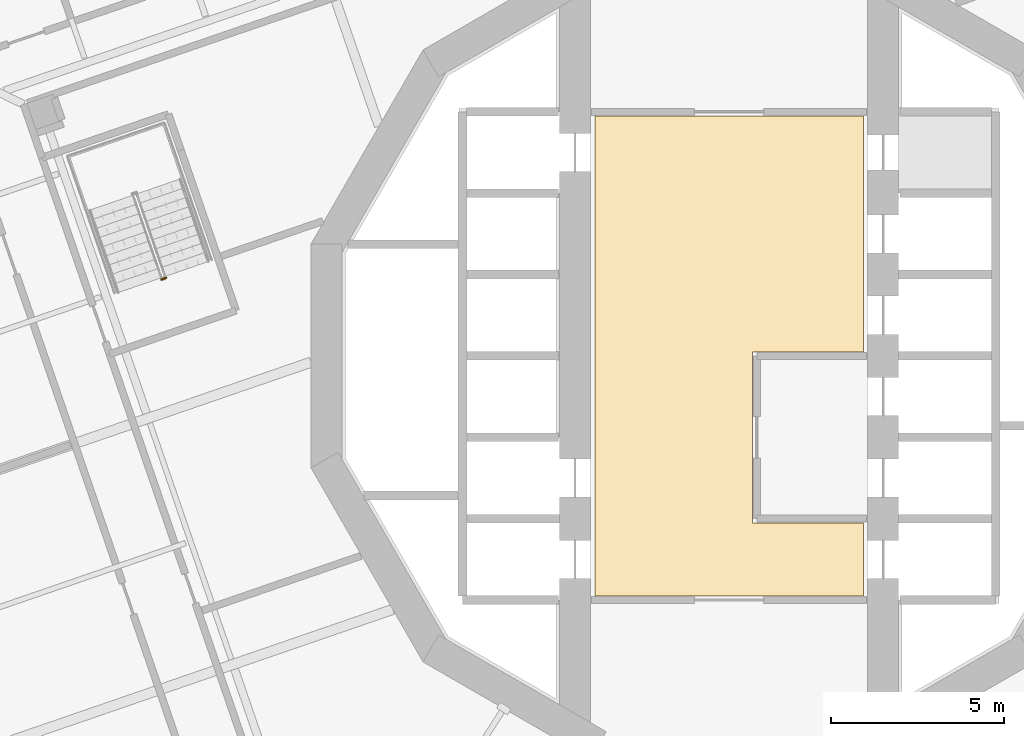
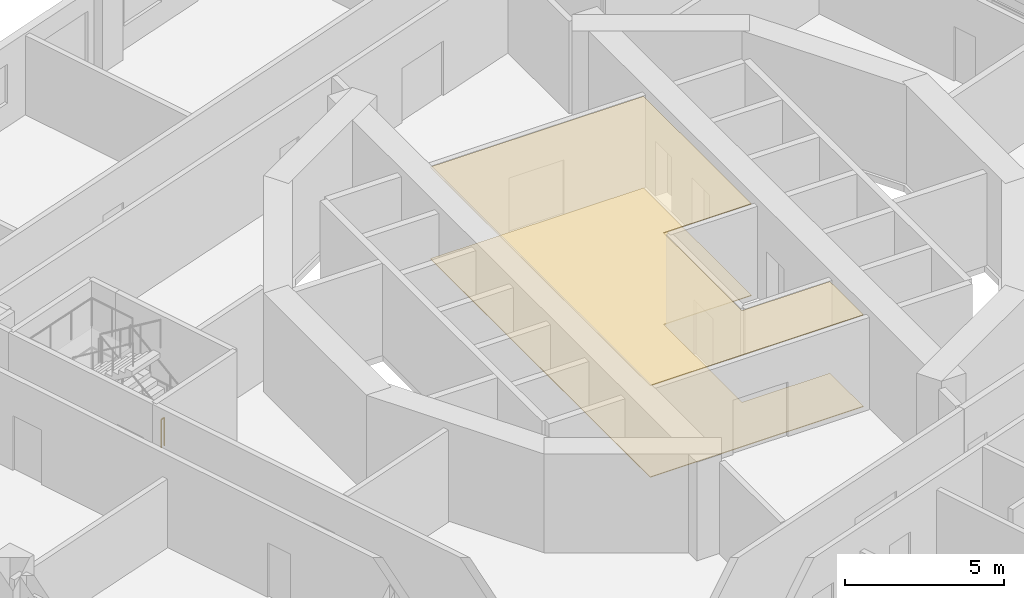
# One storey, part 15 of 19: 2 coverings, 1 railing.
"""IFC4 building model written with IfcOpenShell, lengths in metres."""

import ifcopenshell
import ifcopenshell.guid

model = None  # the IFC model being written
_history = None  # IfcOwnerHistory: only IFC2X3 demands one
_inside = {}  # id of a spatial element -> (the spatial element, [elements in it])
_under = {}  # id of a project, library or spatial element -> (it, [spatial elements below it])
_declared = {}  # id of a project -> (the project, [libraries it declares])
_typed = {}  # id of a type object -> (the type object, [elements of that type])
_made_of = {}  # id of a material, layer set ... -> (it, [elements and type objects made of it])


def new_model(schema):
    """Start an empty IFC model of exactly this schema.

    Asked for "IFC4X3", IfcOpenShell would pick the latest addendum, in which some entities
    have other attributes; the version numbers below select the first issue.
    IFC2X3 requires an IfcOwnerHistory on every rooted entity: one is made here for all.
    """
    global model, _history
    if schema == "IFC4X3":
        model = ifcopenshell.file(schema_version=(4, 3, 0, 0))
    else:
        model = ifcopenshell.file(schema=schema)
    _inside.clear()
    _under.clear()
    _declared.clear()
    _typed.clear()
    _made_of.clear()
    _history = None
    if model.schema == "IFC2X3":
        org = make("IfcOrganization", Name="unknown")
        user = make(
            "IfcPersonAndOrganization",
            ThePerson=make("IfcPerson", FamilyName="unknown"),
            TheOrganization=org,
        )
        app = make(
            "IfcApplication",
            ApplicationDeveloper=org,
            Version="unknown",
            ApplicationFullName="unknown",
            ApplicationIdentifier="unknown",
        )
        _history = make(
            "IfcOwnerHistory",
            OwningUser=user,
            OwningApplication=app,
            ChangeAction="ADDED",
            CreationDate=0,
        )
    return model


def make(cls, **values):
    """One entity of the class cls with the attributes given. An attribute that is None is left unset."""
    return model.create_entity(
        cls, **{name: value for name, value in values.items() if value is not None}
    )


def rooted(cls, **values):
    """An entity with a GlobalId (a new one), such as an element, a storey or a relation."""
    return make(cls, GlobalId=ifcopenshell.guid.new(), OwnerHistory=_history, **values)


def si_unit(unit_type, name, prefix=None):
    """IfcSIUnit, for example si_unit("LENGTHUNIT", "METRE", prefix="MILLI")."""
    return make("IfcSIUnit", UnitType=unit_type, Prefix=prefix, Name=name)


def assignment(units):
    """IfcUnitAssignment: the units of a project."""
    return None if units is None else make("IfcUnitAssignment", Units=units)


def point(xyz):
    """IfcCartesianPoint."""
    return None if xyz is None else make("IfcCartesianPoint", Coordinates=xyz)


def direction(xyz):
    """IfcDirection."""
    return None if xyz is None else make("IfcDirection", DirectionRatios=xyz)


def frame(location, z_axis=None, x_axis=None):
    """IfcAxis2Placement3D, a coordinate frame: its origin and axes. An axis left out is left unset."""
    return make(
        "IfcAxis2Placement3D",
        Location=point(location),
        Axis=direction(z_axis),
        RefDirection=direction(x_axis),
    )


def frame_2d(location, x_axis=None):
    """IfcAxis2Placement2D, a coordinate frame in the plane: its origin and x axis."""
    return make(
        "IfcAxis2Placement2D", Location=point(location), RefDirection=direction(x_axis)
    )


def origin():
    """The frame at (0, 0, 0) with its axes left unset."""
    return frame((0.0, 0.0, 0.0))


def origin_2d():
    """The frame at (0, 0) in the plane with its x axis left unset."""
    return frame_2d((0.0, 0.0))


def place(relative_to, where):
    """IfcLocalPlacement: puts the frame where relative to a parent placement (None: the world)."""
    return make(
        "IfcLocalPlacement", PlacementRelTo=relative_to, RelativePlacement=where
    )


def context(
    kind, dimensions, precision=None, world=None, true_north=None, identifier=None
):
    """IfcGeometricRepresentationContext, for example the 3D "Model" context."""
    return make(
        "IfcGeometricRepresentationContext",
        ContextIdentifier=identifier,
        ContextType=kind,
        CoordinateSpaceDimension=dimensions,
        Precision=precision,
        WorldCoordinateSystem=world,
        TrueNorth=true_north,
    )


def subcontext(parent, identifier, kind, view, scale=None):
    """IfcGeometricRepresentationSubContext, for example "Body" below "Model"."""
    return make(
        "IfcGeometricRepresentationSubContext",
        ContextIdentifier=identifier,
        ContextType=kind,
        ParentContext=parent,
        TargetScale=scale,
        TargetView=view,
    )


def project(units=None, contexts=None):
    """IfcProject with its units and contexts."""
    return rooted(
        "IfcProject",
        Name="project",
        RepresentationContexts=contexts,
        UnitsInContext=assignment(units),
    )


def spatial(cls, under=None, at=None, **own):
    """A site, building, storey or space (cls), placed at a placement, below another one or the project."""
    s = rooted(cls, ObjectPlacement=at, **own)
    if under is not None:
        _under.setdefault(under.id(), (under, []))[1].append(s)
    return s


def polyline(points):
    """IfcPolyline through the points."""
    return make("IfcPolyline", Points=[point(p) for p in points])


def profile(cls, at=None, kind="AREA", **sizes):
    """A parametric profile (cls). Its sizes go by their IFC names, for example OverallWidth=200.0."""
    return make(cls, ProfileType=kind, Position=at, **sizes)


def circle(**sizes):
    """IfcCircleProfileDef."""
    return profile("IfcCircleProfileDef", **sizes)


def outline(outer, holes=None, kind="AREA"):
    """IfcArbitraryClosedProfileDef: a profile drawn as a closed curve; with holes, ...WithVoids."""
    if holes is None:
        return make("IfcArbitraryClosedProfileDef", ProfileType=kind, OuterCurve=outer)
    return make(
        "IfcArbitraryProfileDefWithVoids",
        ProfileType=kind,
        OuterCurve=outer,
        InnerCurves=holes,
    )


def extrude(swept, where, along, depth):
    """IfcExtrudedAreaSolid: the profile swept, set in the frame where, extruded along a direction by depth."""
    return make(
        "IfcExtrudedAreaSolid",
        SweptArea=swept,
        Position=where,
        ExtrudedDirection=direction(along),
        Depth=depth,
    )


def shape(context_of_items, identifier, shape_type, items):
    """IfcShapeRepresentation: the items that make up one representation, for example the "Body"."""
    return make(
        "IfcShapeRepresentation",
        ContextOfItems=context_of_items,
        RepresentationIdentifier=identifier,
        RepresentationType=shape_type,
        Items=items,
    )


def material(Name=None, Category=None):
    """IfcMaterial."""
    return make("IfcMaterial", Name=Name, Category=Category)


def layer(
    of_material, thickness, ventilated=None, Name=None, Category=None, Priority=None
):
    """IfcMaterialLayer: one layer of a wall or slab, of a material (None: an air gap)."""
    return make(
        "IfcMaterialLayer",
        Material=of_material,
        LayerThickness=thickness,
        IsVentilated=ventilated,
        Name=Name,
        Category=Category,
        Priority=Priority,
    )


def layer_set(layers, Name=None):
    """IfcMaterialLayerSet."""
    return make("IfcMaterialLayerSet", MaterialLayers=layers, LayerSetName=Name)


def made_of(thing, what):
    """Note that an element or type object is made of a material, layer set ...; save() writes the relation."""
    if what is not None:
        _made_of.setdefault(what.id(), (what, []))[1].append(thing)
    return thing


def type_object(cls, material=None, **own):
    """A type object (cls), such as IfcWallType, which elements share."""
    return made_of(rooted(cls, **own), material)


def element(
    cls,
    number,
    at=None,
    inside=None,
    cuts=None,
    type_object=None,
    material=None,
    context=None,
    identifier="Body",
    shape_type=None,
    held_by="IfcProductDefinitionShape",
    body=None,
    shapes=None,
    **own,
):
    """One element of the class cls, such as IfcWall. Its Tag is "e" and its number.

    at: its placement. inside: the storey or other place that contains it. cuts: it is an
    opening in that element (IfcRelVoidsElement). A single representation is given by context,
    identifier, shape_type and body (its items); several are given by shapes. held_by: the class
    of the entity that holds the representations. save() writes the other relations.
    """
    e = rooted(cls, Tag="e%d" % number, ObjectPlacement=at, **own)
    if body is not None:
        shapes = [shape(context, identifier, shape_type, body)]
    if shapes is not None:
        e.Representation = make(held_by, Representations=shapes)
    if inside is not None:
        _inside.setdefault(inside.id(), (inside, []))[1].append(e)
    if cuts is not None:
        rooted(
            "IfcRelVoidsElement", RelatingBuildingElement=cuts, RelatedOpeningElement=e
        )
    if type_object is not None:
        _typed.setdefault(type_object.id(), (type_object, []))[1].append(e)
    return made_of(e, material)


def aggregate(whole, parts):
    """IfcRelAggregates: a whole, such as a stair, and the parts it consists of."""
    return rooted("IfcRelAggregates", RelatingObject=whole, RelatedObjects=parts)


def save(model, path):
    """Write the relations noted so far, then the file.

    IfcRelAggregates (storeys below a building ...), IfcRelContainedInSpatialStructure (elements
    in a storey), IfcRelDefinesByType, IfcRelAssociatesMaterial and IfcRelDeclares: one each for
    every whole, place, type object, material and project.
    """
    for whole, parts in _under.values():
        aggregate(whole, parts)
    for where, things in _inside.values():
        rooted(
            "IfcRelContainedInSpatialStructure",
            RelatedElements=things,
            RelatingStructure=where,
        )
    for kind, things in _typed.values():
        rooted("IfcRelDefinesByType", RelatedObjects=things, RelatingType=kind)
    for what, things in _made_of.values():
        rooted("IfcRelAssociatesMaterial", RelatedObjects=things, RelatingMaterial=what)
    for by, libraries in _declared.values():
        rooted("IfcRelDeclares", RelatingContext=by, RelatedDefinitions=libraries)
    model.write(path)


model = new_model("IFC4")

# Units and contexts
model_context = context("Model", 3, precision=1e-05, world=origin(), true_north=direction((0.0, 1.0)))
body_context = subcontext(model_context, "Body", "Model", "MODEL_VIEW")
ifc_project = project(units=[si_unit("LENGTHUNIT", "METRE"), si_unit("AREAUNIT", "SQUARE_METRE"), si_unit("VOLUMEUNIT", "CUBIC_METRE"), si_unit("PLANEANGLEUNIT", "RADIAN"), si_unit("MASSUNIT", "GRAM", prefix="KILO")], contexts=[model_context])

# Site, building, storey
site_placement = place(None, origin())
site = spatial("IfcSite", under=ifc_project, at=site_placement, CompositionType="ELEMENT")
building_placement = place(site_placement, origin())
building = spatial("IfcBuilding", under=site, at=building_placement, Name="Cantera Rosa Tower", CompositionType="ELEMENT")
storey_placement = place(building_placement, frame((0.0, 0.0, 130.699951171875)))
storey = spatial("IfcBuildingStorey", under=building, at=storey_placement, Name="L27", CompositionType="ELEMENT", Elevation=130.699951171875)

# Railing
ifc_material_1 = material(Name="Steel S355J2 (EN 10025-2)", Category="steel")
railing_type = type_object("IfcRailingType", Name="STAIR GUARD 1100", PredefinedType="GUARDRAIL", material=ifc_material_1)
railing_placement = place(storey_placement, frame((-16.257080078125, 2.25341796875, 0.0)))
element("IfcRailing", 1, at=railing_placement, inside=storey, type_object=railing_type, Name="L27 ST-22 stair guard 3", PredefinedType="GUARDRAIL", context=body_context, shape_type="SweptSolid", body=[
    extrude(circle(Radius=0.02392578125, at=origin_2d()), frame((0.0, 0.0, 1.076171875), z_axis=(-0.945545797087, -0.325489086777, 0.0), x_axis=(0.325489086777, -0.945545797087, 0.0)), (0.0, 0.0, 1.0), 0.14990234375),
    extrude(circle(Radius=0.02099609375, at=origin_2d()), origin(), (0.0, 0.0, 1.0), 1.052001953125),
    extrude(circle(Radius=0.02099609375, at=origin_2d()), frame((-0.141845703125, -0.048828125, 0.0)), (0.0, 0.0, 1.0), 1.052001953125),
])

# Coverings
ifc_material_2 = material(Name="Limestone paving", Category="masonry")
ifc_layer_1 = layer(ifc_material_2, 0.02490234375)
ifc_layer_set_1 = layer_set([ifc_layer_1], Name="STONE FLOOR FINISH 25")
covering_type_1 = type_object("IfcCoveringType", Name="STONE FLOOR FINISH 25", PredefinedType="FLOORING", material=ifc_layer_set_1)
covering_1_placement = place(storey_placement, origin())
element("IfcCovering", 2, at=covering_1_placement, inside=storey, type_object=covering_type_1, Name="STONE FLOOR FINISH L27", PredefinedType="FLOORING", context=body_context, shape_type="SweptSolid", body=[
    extrude(outline(polyline([(3.8798828125, 6.929931640625), (3.8798828125, 0.1201171875), (0.679931640625, 0.1201171875), (0.679931640625, -4.820068359375), (3.8798828125, -4.820068359375), (3.8798828125, -6.929931640625), (-3.8798828125, -6.929931640625), (-3.8798828125, 6.929931640625), (3.8798828125, 6.929931640625)])), origin(), (0.0, 0.0, 1.0), 0.025146484375),
])
ifc_material_3 = material(Name="Gypsum ceiling tile")
ifc_layer_2 = layer(ifc_material_3, 0.030029296875)
ifc_layer_set_2 = layer_set([ifc_layer_2], Name="SUSPENDED CEILING 30")
covering_type_2 = type_object("IfcCoveringType", Name="SUSPENDED CEILING 30", PredefinedType="CEILING", material=ifc_layer_set_2)
covering_2_placement = place(storey_placement, frame((0.0, 0.0, 3.52001953125)))
element("IfcCovering", 3, at=covering_2_placement, inside=storey, type_object=covering_type_2, Name="SUSPENDED CEILING L27", PredefinedType="CEILING", context=body_context, shape_type="SweptSolid", body=[
    extrude(outline(polyline([(3.8798828125, 6.929931640625), (3.8798828125, 0.1201171875), (0.679931640625, 0.1201171875), (0.679931640625, -4.820068359375), (3.8798828125, -4.820068359375), (3.8798828125, -6.929931640625), (-3.8798828125, -6.929931640625), (-3.8798828125, 6.929931640625), (3.8798828125, 6.929931640625)])), origin(), (0.0, 0.0, 1.0), 0.030029296875),
])

save(model, "model.ifc")
